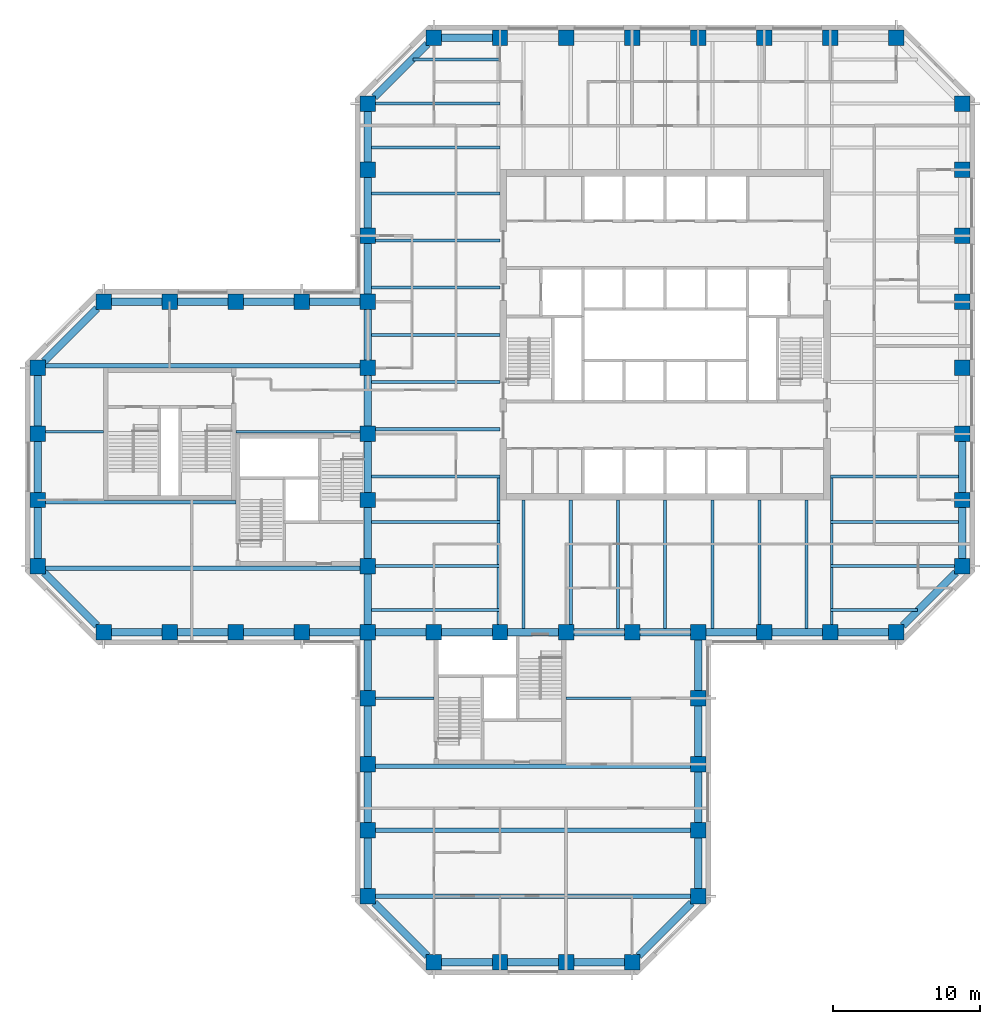
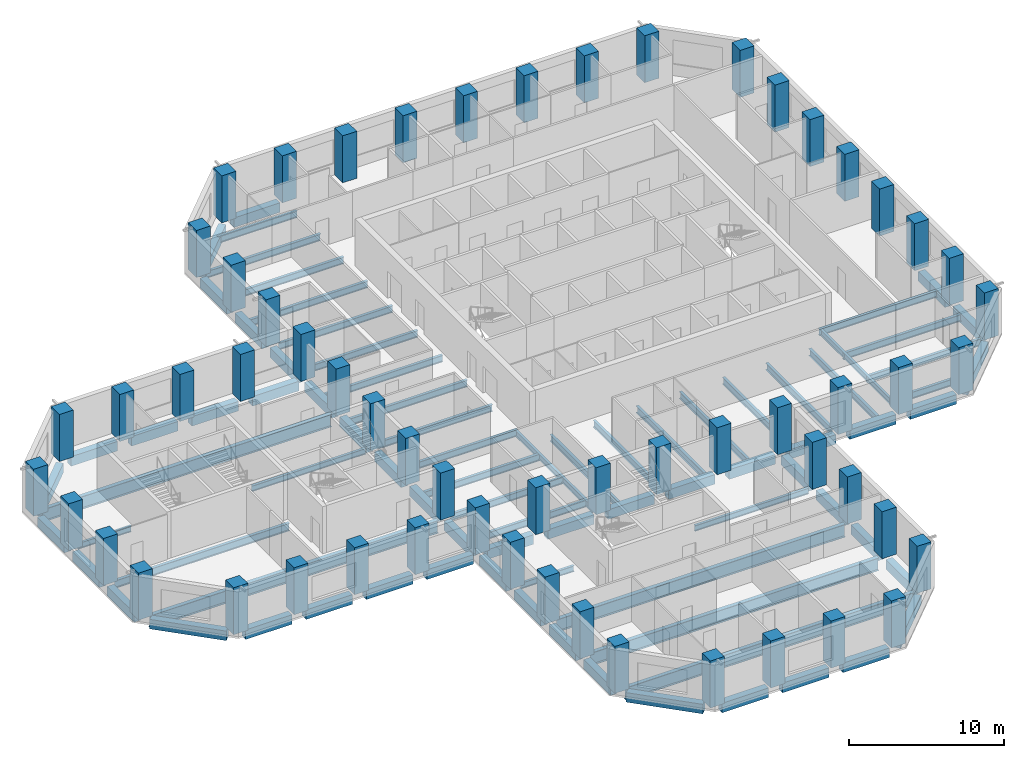
# One storey, part 1 of 11: 83 beams, 57 columns.
"""IFC4 building model written with IfcOpenShell, lengths in metres."""

from ifc_helpers import new_model, si_unit, direction, frame, origin, origin_2d, place, context, subcontext, project, spatial, rectangle, i_section, extrude, material, material_profile, profile_set, type_object, element, save


model = new_model("IFC4")

# Units and contexts
model_context = context("Model", 3, precision=1e-05, world=origin(), true_north=direction((0.0, 1.0)))
body_context = subcontext(model_context, "Body", "Model", "MODEL_VIEW")
ifc_project = project(units=[si_unit("LENGTHUNIT", "METRE"), si_unit("AREAUNIT", "SQUARE_METRE"), si_unit("VOLUMEUNIT", "CUBIC_METRE"), si_unit("PLANEANGLEUNIT", "RADIAN"), si_unit("MASSUNIT", "GRAM", prefix="KILO")], contexts=[model_context])

# Site, building, storey
site_placement = place(None, origin())
site = spatial("IfcSite", under=ifc_project, at=site_placement, CompositionType="ELEMENT")
building_placement = place(site_placement, origin())
building = spatial("IfcBuilding", under=site, at=building_placement, Name="Quoin Convention Tower", CompositionType="ELEMENT")
storey_placement = place(building_placement, frame((0.0, 0.0, 123.300048828125)))
storey = spatial("IfcBuildingStorey", under=building, at=storey_placement, Name="L32", CompositionType="ELEMENT", Elevation=123.300048828125)

# Columns
ifc_material_1 = material(Name="Concrete C65", Category="concrete")
ifc_material_profile_1 = material_profile(ifc_material_1, rectangle(XDim=1.050048828125, YDim=1.050048828125, at=origin_2d()), Name="RC 1050x1050")
ifc_profile_set_1 = profile_set([ifc_material_profile_1], Name="Concrete C65")
column_type = type_object("IfcColumnType", Name="RC 1050x1050 C65", PredefinedType="COLUMN", material=ifc_profile_set_1)
for number, where, z_axis, x_axis, name in (
    (1, (40.5, 18.0, 0.0), (0.0, 0.0, 1.0), (1.0, 0.0, 0.0), "col-L32-40500_18000"),
    (2, (45.0, 18.0, 0.0), (0.0, 0.0, 1.0), (1.0, 0.0, 0.0), "col-L32-45000_18000"),
    (3, (49.5, 18.0, 0.0), (0.0, 0.0, 1.0), (1.0, 0.0, 0.0), "col-L32-49500_18000"),
    (4, (54.0, 18.0, 0.0), (0.0, 0.0, 1.0), (1.0, 0.0, 0.0), "col-L32-54000_18000"),
    (5, (36.0, 22.5, 0.0), (0.0, 0.0, 1.0), (1.0, 0.0, 0.0), "col-L32-36000_22500"),
    (6, (58.5, 22.5, 0.0), (0.0, 0.0, 1.0), (1.0, 0.0, 0.0), "col-L32-58500_22500"),
    (7, (36.0, 27.0, 0.0), (0.0, 0.0, 1.0), (1.0, 0.0, 0.0), "col-L32-36000_27000"),
    (8, (58.5, 27.0, 0.0), (0.0, 0.0, 1.0), (1.0, 0.0, 0.0), "col-L32-58500_27000"),
    (9, (36.0, 31.5, 0.0), (0.0, 0.0, 1.0), (1.0, 0.0, 0.0), "col-L32-36000_31500"),
    (10, (58.5, 31.5, 0.0), (0.0, 0.0, 1.0), (1.0, 0.0, 0.0), "col-L32-58500_31500"),
    (11, (36.0, 36.0, 0.0), (0.0, 0.0, 1.0), (1.0, 0.0, 0.0), "col-L32-36000_36000"),
    (12, (58.5, 36.0, 0.0), (0.0, 0.0, 1.0), (1.0, 0.0, 0.0), "col-L32-58500_36000"),
    (13, (18.0, 40.5, 0.0), (0.0, 0.0, 1.0), (1.0, 0.0, 0.0), "col-L32-18000_40500"),
    (14, (22.5, 40.5, 0.0), (0.0, 0.0, 1.0), (1.0, 0.0, 0.0), "col-L32-22500_40500"),
    (15, (27.0, 40.5, 0.0), (0.0, 0.0, 1.0), (1.0, 0.0, 0.0), "col-L32-27000_40500"),
    (16, (31.5, 40.5, 0.0), (0.0, 0.0, 1.0), (1.0, 0.0, 0.0), "col-L32-31500_40500"),
    (17, (36.0, 40.5, 0.0), (0.0, 0.0, 1.0), (1.0, 0.0, 0.0), "col-L32-36000_40500"),
    (18, (40.5, 40.5, 0.0), (0.0, 0.0, 1.0), (1.0, 0.0, 0.0), "web-L32-40500_40500"),
    (19, (45.0, 40.5, 0.0), (0.0, 0.0, 1.0), (1.0, 0.0, 0.0), "web-L32-45000_40500"),
    (20, (49.5, 40.5, 0.0), (0.0, 0.0, 1.0), (1.0, 0.0, 0.0), "web-L32-49500_40500"),
    (21, (54.0, 40.5, 0.0), (0.0, 0.0, 1.0), (1.0, 0.0, 0.0), "web-L32-54000_40500"),
    (22, (58.5, 40.5, 0.0), (0.0, 0.0, 1.0), (1.0, 0.0, 0.0), "col-L32-58500_40500"),
    (23, (63.0, 40.5, 0.0), (0.0, 0.0, 1.0), (1.0, 0.0, 0.0), "col-L32-63000_40500"),
    (24, (67.5, 40.5, 0.0), (0.0, 0.0, 1.0), (1.0, 0.0, 0.0), "col-L32-67500_40500"),
    (25, (72.0, 40.5, 0.0), (0.0, 0.0, 1.0), (1.0, 0.0, 0.0), "col-L32-72000_40500"),
    (26, (13.5, 45.0, 0.0), (0.0, 0.0, 1.0), (1.0, 0.0, 0.0), "col-L32-13500_45000"),
    (27, (36.0, 45.0, 0.0), (0.0, 0.0, 1.0), (1.0, 0.0, 0.0), "web-L32-36000_45000"),
    (28, (76.5, 45.0, 0.0), (0.0, 0.0, 1.0), (1.0, 0.0, 0.0), "col-L32-76500_45000"),
    (29, (13.5, 49.5, 0.0), (0.0, 0.0, 1.0), (1.0, 0.0, 0.0), "col-L32-13500_49500"),
    (30, (36.0, 49.5, 0.0), (0.0, 0.0, 1.0), (1.0, 0.0, 0.0), "web-L32-36000_49500"),
    (31, (76.5, 49.5, 0.0), (0.0, 0.0, 1.0), (1.0, 0.0, 0.0), "col-L32-76500_49500"),
    (32, (13.5, 54.0, 0.0), (0.0, 0.0, 1.0), (1.0, 0.0, 0.0), "col-L32-13500_54000"),
    (33, (36.0, 54.0, 0.0), (0.0, 0.0, 1.0), (1.0, 0.0, 0.0), "web-L32-36000_54000"),
    (34, (76.5, 54.0, 0.0), (0.0, 0.0, 1.0), (1.0, 0.0, 0.0), "col-L32-76500_54000"),
    (35, (13.5, 58.5, 0.0), (0.0, 0.0, 1.0), (1.0, 0.0, 0.0), "col-L32-13500_58500"),
    (36, (36.0, 58.5, 0.0), (0.0, 0.0, 1.0), (1.0, 0.0, 0.0), "web-L32-36000_58500"),
    (37, (76.5, 58.5, 0.0), (0.0, 0.0, 1.0), (1.0, 0.0, 0.0), "col-L32-76500_58500"),
    (38, (18.0, 63.0, 0.0), (0.0, 0.0, 1.0), (1.0, 0.0, 0.0), "col-L32-18000_63000"),
    (39, (22.5, 63.0, 0.0), (0.0, 0.0, 1.0), (1.0, 0.0, 0.0), "col-L32-22500_63000"),
    (40, (27.0, 63.0, 0.0), (0.0, 0.0, 1.0), (1.0, 0.0, 0.0), "col-L32-27000_63000"),
    (41, (31.5, 63.0, 0.0), (0.0, 0.0, 1.0), (1.0, 0.0, 0.0), "col-L32-31500_63000"),
    (42, (36.0, 63.0, 0.0), (0.0, 0.0, 1.0), (1.0, 0.0, 0.0), "col-L32-36000_63000"),
    (43, (76.5, 63.0, 0.0), (0.0, 0.0, 1.0), (1.0, 0.0, 0.0), "col-L32-76500_63000"),
    (44, (36.0, 67.5, 0.0), (0.0, 0.0, 1.0), (1.0, 0.0, 0.0), "col-L32-36000_67500"),
    (45, (76.5, 67.5, 0.0), (0.0, 0.0, 1.0), (1.0, 0.0, 0.0), "col-L32-76500_67500"),
    (46, (36.0, 72.0, 0.0), (0.0, 0.0, 1.0), (1.0, 0.0, 0.0), "col-L32-36000_72000"),
    (47, (76.5, 72.0, 0.0), (0.0, 0.0, 1.0), (1.0, 0.0, 0.0), "col-L32-76500_72000"),
    (48, (36.0, 76.5, 0.0), (0.0, 0.0, 1.0), (1.0, 0.0, 0.0), "col-L32-36000_76500"),
    (49, (76.5, 76.5, 0.0), (0.0, 0.0, 1.0), (1.0, 0.0, 0.0), "col-L32-76500_76500"),
    (50, (40.5, 81.0, 0.0), (0.0, 0.0, 1.0), (1.0, 0.0, 0.0), "col-L32-40500_81000"),
    (51, (45.0, 81.0, 0.0), (0.0, 0.0, 1.0), (1.0, 0.0, 0.0), "col-L32-45000_81000"),
    (52, (49.5, 81.0, 0.0), (0.0, 0.0, 1.0), (1.0, 0.0, 0.0), "col-L32-49500_81000"),
    (53, (54.0, 81.0, 0.0), (0.0, 0.0, 1.0), (1.0, 0.0, 0.0), "col-L32-54000_81000"),
    (54, (58.5, 81.0, 0.0), (0.0, 0.0, 1.0), (1.0, 0.0, 0.0), "col-L32-58500_81000"),
    (55, (63.0, 81.0, 0.0), (0.0, 0.0, 1.0), (1.0, 0.0, 0.0), "col-L32-63000_81000"),
    (56, (67.5, 81.0, 0.0), (0.0, 0.0, 1.0), (1.0, 0.0, 0.0), "col-L32-67500_81000"),
    (57, (72.0, 81.0, 0.0), (0.0, 0.0, 1.0), (1.0, 0.0, 0.0), "col-L32-72000_81000"),
):
    element("IfcColumn", number, at=place(storey_placement, frame(where, z_axis=z_axis, x_axis=x_axis)), inside=storey, type_object=column_type, Name=name, PredefinedType="COLUMN", context=body_context, shape_type="SweptSolid", body=[
        extrude(rectangle(XDim=1.050048828125, YDim=1.050048828125, at=origin_2d()), origin(), (0.0, 0.0, 1.0), 3.699951171875),
    ])

# Beams
ifc_material_2 = material(Name="Steel Grade 300", Category="steel")
ifc_material_profile_2 = material_profile(ifc_material_2, i_section(OverallWidth=0.300048828125, OverallDepth=1.0, WebThickness=0.01611328125, FlangeThickness=0.02001953125, at=origin_2d()), Name="1000WB215")
ifc_profile_set_2 = profile_set([ifc_material_profile_2], Name="Steel Grade 300")
beam_type_1 = type_object("IfcBeamType", Name="1000WB215", PredefinedType="BEAM", material=ifc_profile_set_2)
for number, where, z_axis, x_axis, name in (
    (58, (36.52490234375, 22.5, -0.650146484375), (1.0, 0.0, 0.0), (0.0, 1.0, 0.0), "gir-L32-ST3-1-0"),
    (59, (36.52490234375, 27.0, -0.650146484375), (1.0, 0.0, 0.0), (0.0, 1.0, 0.0), "gir-L32-ST3-2-0"),
    (60, (36.52490234375, 31.35009765625, -0.650146484375), (1.0, 0.0, 0.0), (0.0, 1.0, 0.0), "gir-L32-ST3-3-0"),
    (61, (14.02490234375, 44.85009765625, -0.650146484375), (1.0, 0.0, 0.0), (0.0, 1.0, 0.0), "gir-L32-ST2-1-0"),
    (62, (14.02490234375, 58.64990234375, -0.650146484375), (1.0, 0.0, 0.0), (0.0, 1.0, 0.0), "gir-L32-ST2-4-0"),
):
    element("IfcBeam", number, at=place(storey_placement, frame(where, z_axis=z_axis, x_axis=x_axis)), inside=storey, type_object=beam_type_1, Name=name, PredefinedType="BEAM", context=body_context, shape_type="SweptSolid", body=[
        extrude(i_section(OverallWidth=0.300048828125, OverallDepth=1.0, WebThickness=0.01611328125, FlangeThickness=0.02001953125, at=origin_2d()), origin(), (0.0, 0.0, 1.0), 21.4501953125),
    ])
ifc_material_profile_3 = material_profile(ifc_material_2, i_section(OverallWidth=0.18994140625, OverallDepth=0.4541015625, WebThickness=0.008544921875, FlangeThickness=0.0126953125, FilletRadius=0.011474609375, at=origin_2d()), Name="460UB67.1")
ifc_profile_set_3 = profile_set([ifc_material_profile_3], Name="Steel Grade 300")
beam_type_2 = type_object("IfcBeamType", Name="460UB67.1", PredefinedType="BEAM", material=ifc_profile_set_3)
for number, where, z_axis, x_axis, name in (
    (63, (44.8955078125, 41.02490234375, -0.376953125), (0.0, 1.0, 0.0), (-1.0, 0.0, 0.0), "gir-L32-T1SW"),
    (64, (67.6044921875, 41.02490234375, -0.376953125), (0.0, 1.0, 0.0), (-1.0, 0.0, 0.0), "gir-L32-T1SE"),
):
    element("IfcBeam", number, at=place(storey_placement, frame(where, z_axis=z_axis, x_axis=x_axis)), inside=storey, type_object=beam_type_2, Name=name, PredefinedType="BEAM", context=body_context, shape_type="SweptSolid", body=[
        extrude(i_section(OverallWidth=0.18994140625, OverallDepth=0.4541015625, WebThickness=0.008544921875, FlangeThickness=0.0126953125, FilletRadius=0.011474609375, at=origin_2d()), origin(), (0.0, 0.0, 1.0), 9.977783203125),
    ])
beam_1_placement = place(storey_placement, frame((36.52490234375, 36.0, -0.376953125), z_axis=(1.0, 0.0, 0.0), x_axis=(0.0, 1.0, 0.0)))
element("IfcBeam", 65, at=beam_1_placement, inside=storey, type_object=beam_type_2, Name="gir-L32-ST3-4-0", PredefinedType="BEAM", context=body_context, shape_type="SweptSolid", body=[
    extrude(i_section(OverallWidth=0.18994140625, OverallDepth=0.4541015625, WebThickness=0.008544921875, FlangeThickness=0.0126953125, FilletRadius=0.011474609375, at=origin_2d()), origin(), (0.0, 0.0, 1.0), 3.97509765625),
])
beam_2_placement = place(storey_placement, frame((49.5, 36.0, -0.376953125), z_axis=(1.0, 0.0, 0.0), x_axis=(0.0, 1.0, 0.0)))
element("IfcBeam", 66, at=beam_2_placement, inside=storey, type_object=beam_type_2, Name="gir-L32-ST3-4-1", PredefinedType="BEAM", context=body_context, shape_type="SweptSolid", body=[
    extrude(i_section(OverallWidth=0.18994140625, OverallDepth=0.4541015625, WebThickness=0.008544921875, FlangeThickness=0.0126953125, FilletRadius=0.011474609375, at=origin_2d()), origin(), (0.0, 0.0, 1.0), 8.47509765625),
])
beam_3_placement = place(storey_placement, frame((14.02490234375, 54.14990234375, -0.376953125), z_axis=(1.0, 0.0, 0.0), x_axis=(0.0, 1.0, 0.0)))
element("IfcBeam", 67, at=beam_3_placement, inside=storey, type_object=beam_type_2, Name="gir-L32-ST2-3-0", PredefinedType="BEAM", context=body_context, shape_type="SweptSolid", body=[
    extrude(i_section(OverallWidth=0.18994140625, OverallDepth=0.4541015625, WebThickness=0.008544921875, FlangeThickness=0.0126953125, FilletRadius=0.011474609375, at=origin_2d()), origin(), (0.0, 0.0, 1.0), 3.97509765625),
])
beam_4_placement = place(storey_placement, frame((27.0, 54.14990234375, -0.376953125), z_axis=(1.0, 0.0, 0.0), x_axis=(0.0, 1.0, 0.0)))
element("IfcBeam", 68, at=beam_4_placement, inside=storey, type_object=beam_type_2, Name="gir-L32-ST2-3-1", PredefinedType="BEAM", context=body_context, shape_type="SweptSolid", body=[
    extrude(i_section(OverallWidth=0.18994140625, OverallDepth=0.4541015625, WebThickness=0.008544921875, FlangeThickness=0.0126953125, FilletRadius=0.011474609375, at=origin_2d()), origin(), (0.0, 0.0, 1.0), 8.47509765625),
])
ifc_material_profile_4 = material_profile(ifc_material_2, i_section(OverallWidth=0.208984375, OverallDepth=0.528076171875, WebThickness=0.009521484375, FlangeThickness=0.01318359375, FilletRadius=0.013916015625, at=origin_2d()), Name="530UB82.0")
ifc_profile_set_4 = profile_set([ifc_material_profile_4], Name="Steel Grade 300")
beam_type_3 = type_object("IfcBeamType", Name="530UB82.0", PredefinedType="BEAM", material=ifc_profile_set_4)
beam_5_placement = place(storey_placement, frame((36.25, 51.107177734375, -0.4140625), z_axis=(1.0, 0.0, 0.0), x_axis=(0.0, 1.0, 0.0)))
element("IfcBeam", 69, at=beam_5_placement, inside=storey, type_object=beam_type_3, Name="bm-L32-T1W0", PredefinedType="BEAM", context=body_context, shape_type="SweptSolid", body=[
    extrude(i_section(OverallWidth=0.208984375, OverallDepth=0.528076171875, WebThickness=0.009521484375, FlangeThickness=0.01318359375, FilletRadius=0.013916015625, at=origin_2d()), origin(), (0.0, 0.0, 1.0), 8.75),
])
beam_6_placement = place(storey_placement, frame((36.52490234375, 54.3212890625, -0.4140625), z_axis=(1.0, 0.0, 0.0), x_axis=(0.0, 1.0, 0.0)))
element("IfcBeam", 70, at=beam_6_placement, inside=storey, type_object=beam_type_3, Name="bm-L32-T1W1", PredefinedType="BEAM", context=body_context, shape_type="SweptSolid", body=[
    extrude(i_section(OverallWidth=0.208984375, OverallDepth=0.528076171875, WebThickness=0.009521484375, FlangeThickness=0.01318359375, FilletRadius=0.013916015625, at=origin_2d()), origin(), (0.0, 0.0, 1.0), 8.47509765625),
])
for number, where, z_axis, x_axis, name in (
    (71, (36.25, 57.53564453125, -0.4140625), (1.0, 0.0, 0.0), (0.0, 1.0, 0.0), "bm-L32-T1W2"),
    (72, (36.25, 60.75, -0.4140625), (1.0, 0.0, 0.0), (0.0, 1.0, 0.0), "bm-L32-T1W3"),
    (73, (36.25, 63.96435546875, -0.4140625), (1.0, 0.0, 0.0), (0.0, 1.0, 0.0), "bm-L32-T1W4"),
):
    element("IfcBeam", number, at=place(storey_placement, frame(where, z_axis=z_axis, x_axis=x_axis)), inside=storey, type_object=beam_type_3, Name=name, PredefinedType="BEAM", context=body_context, shape_type="SweptSolid", body=[
        extrude(i_section(OverallWidth=0.208984375, OverallDepth=0.528076171875, WebThickness=0.009521484375, FlangeThickness=0.01318359375, FilletRadius=0.013916015625, at=origin_2d()), origin(), (0.0, 0.0, 1.0), 8.75),
    ])
beam_7_placement = place(storey_placement, frame((36.52490234375, 67.1787109375, -0.4140625), z_axis=(1.0, 0.0, 0.0), x_axis=(0.0, 1.0, 0.0)))
element("IfcBeam", 74, at=beam_7_placement, inside=storey, type_object=beam_type_3, Name="bm-L32-T1W5", PredefinedType="BEAM", context=body_context, shape_type="SweptSolid", body=[
    extrude(i_section(OverallWidth=0.208984375, OverallDepth=0.528076171875, WebThickness=0.009521484375, FlangeThickness=0.01318359375, FilletRadius=0.013916015625, at=origin_2d()), origin(), (0.0, 0.0, 1.0), 8.47509765625),
])
for number, where, z_axis, x_axis, name in (
    (75, (36.25, 70.392822265625, -0.4140625), (1.0, 0.0, 0.0), (0.0, 1.0, 0.0), "bm-L32-T1W6"),
    (76, (67.5, 51.107177734375, -0.4140625), (1.0, 0.0, 0.0), (0.0, 1.0, 0.0), "bm-L32-T1E0"),
    (77, (46.607177734375, 40.75, -0.4140625), (0.0, 1.0, 0.0), (-1.0, 0.0, 0.0), "bm-L32-T1S0"),
):
    element("IfcBeam", number, at=place(storey_placement, frame(where, z_axis=z_axis, x_axis=x_axis)), inside=storey, type_object=beam_type_3, Name=name, PredefinedType="BEAM", context=body_context, shape_type="SweptSolid", body=[
        extrude(i_section(OverallWidth=0.208984375, OverallDepth=0.528076171875, WebThickness=0.009521484375, FlangeThickness=0.01318359375, FilletRadius=0.013916015625, at=origin_2d()), origin(), (0.0, 0.0, 1.0), 8.75),
    ])
beam_8_placement = place(storey_placement, frame((49.8212890625, 41.02490234375, -0.4140625), z_axis=(0.0, 1.0, 0.0), x_axis=(-1.0, 0.0, 0.0)))
element("IfcBeam", 78, at=beam_8_placement, inside=storey, type_object=beam_type_3, Name="bm-L32-T1S1", PredefinedType="BEAM", context=body_context, shape_type="SweptSolid", body=[
    extrude(i_section(OverallWidth=0.208984375, OverallDepth=0.528076171875, WebThickness=0.009521484375, FlangeThickness=0.01318359375, FilletRadius=0.013916015625, at=origin_2d()), origin(), (0.0, 0.0, 1.0), 8.47509765625),
])
for number, where, z_axis, x_axis, name in (
    (79, (53.03564453125, 40.75, -0.4140625), (0.0, 1.0, 0.0), (-1.0, 0.0, 0.0), "bm-L32-T1S2"),
    (80, (56.25, 40.75, -0.4140625), (0.0, 1.0, 0.0), (-1.0, 0.0, 0.0), "bm-L32-T1S3"),
    (81, (59.46435546875, 40.75, -0.4140625), (0.0, 1.0, 0.0), (-1.0, 0.0, 0.0), "bm-L32-T1S4"),
):
    element("IfcBeam", number, at=place(storey_placement, frame(where, z_axis=z_axis, x_axis=x_axis)), inside=storey, type_object=beam_type_3, Name=name, PredefinedType="BEAM", context=body_context, shape_type="SweptSolid", body=[
        extrude(i_section(OverallWidth=0.208984375, OverallDepth=0.528076171875, WebThickness=0.009521484375, FlangeThickness=0.01318359375, FilletRadius=0.013916015625, at=origin_2d()), origin(), (0.0, 0.0, 1.0), 8.75),
    ])
beam_9_placement = place(storey_placement, frame((62.6787109375, 41.02490234375, -0.4140625), z_axis=(0.0, 1.0, 0.0), x_axis=(-1.0, 0.0, 0.0)))
element("IfcBeam", 82, at=beam_9_placement, inside=storey, type_object=beam_type_3, Name="bm-L32-T1S5", PredefinedType="BEAM", context=body_context, shape_type="SweptSolid", body=[
    extrude(i_section(OverallWidth=0.208984375, OverallDepth=0.528076171875, WebThickness=0.009521484375, FlangeThickness=0.01318359375, FilletRadius=0.013916015625, at=origin_2d()), origin(), (0.0, 0.0, 1.0), 8.47509765625),
])
for number, where, z_axis, x_axis, name in (
    (83, (65.892822265625, 40.75, -0.4140625), (0.0, 1.0, 0.0), (-1.0, 0.0, 0.0), "bm-L32-T1S6"),
    (84, (36.25, 42.0, -0.4140625), (1.0, 0.0, 0.0), (0.0, 1.0, 0.0), "bm-L32-T1SW0"),
):
    element("IfcBeam", number, at=place(storey_placement, frame(where, z_axis=z_axis, x_axis=x_axis)), inside=storey, type_object=beam_type_3, Name=name, PredefinedType="BEAM", context=body_context, shape_type="SweptSolid", body=[
        extrude(i_section(OverallWidth=0.208984375, OverallDepth=0.528076171875, WebThickness=0.009521484375, FlangeThickness=0.01318359375, FilletRadius=0.013916015625, at=origin_2d()), origin(), (0.0, 0.0, 1.0), 8.75),
    ])
beam_10_placement = place(storey_placement, frame((36.52490234375, 45.0, -0.4140625), z_axis=(1.0, 0.0, 0.0), x_axis=(0.0, 1.0, 0.0)))
element("IfcBeam", 85, at=beam_10_placement, inside=storey, type_object=beam_type_3, Name="bm-L32-T1SW1", PredefinedType="BEAM", context=body_context, shape_type="SweptSolid", body=[
    extrude(i_section(OverallWidth=0.208984375, OverallDepth=0.528076171875, WebThickness=0.009521484375, FlangeThickness=0.01318359375, FilletRadius=0.013916015625, at=origin_2d()), origin(), (0.0, 0.0, 1.0), 8.47509765625),
])
beam_11_placement = place(storey_placement, frame((36.25, 48.0, -0.4140625), z_axis=(1.0, 0.0, 0.0), x_axis=(0.0, 1.0, 0.0)))
element("IfcBeam", 86, at=beam_11_placement, inside=storey, type_object=beam_type_3, Name="bm-L32-T1SW2", PredefinedType="BEAM", context=body_context, shape_type="SweptSolid", body=[
    extrude(i_section(OverallWidth=0.208984375, OverallDepth=0.528076171875, WebThickness=0.009521484375, FlangeThickness=0.01318359375, FilletRadius=0.013916015625, at=origin_2d()), origin(), (0.0, 0.0, 1.0), 8.75),
])
beam_12_placement = place(storey_placement, frame((67.5, 42.0, -0.4140625), z_axis=(1.0, 0.0, 0.0), x_axis=(0.0, 1.0, 0.0)))
element("IfcBeam", 87, at=beam_12_placement, inside=storey, type_object=beam_type_3, Name="bm-L32-T1SE0", PredefinedType="BEAM", context=body_context, shape_type="SweptSolid", body=[
    extrude(i_section(OverallWidth=0.208984375, OverallDepth=0.528076171875, WebThickness=0.009521484375, FlangeThickness=0.01318359375, FilletRadius=0.013916015625, at=origin_2d()), origin(), (0.0, 0.0, 1.0), 5.927734375),
])
beam_13_placement = place(storey_placement, frame((67.5, 45.0, -0.4140625), z_axis=(1.0, 0.0, 0.0), x_axis=(0.0, 1.0, 0.0)))
element("IfcBeam", 88, at=beam_13_placement, inside=storey, type_object=beam_type_3, Name="bm-L32-T1SE1", PredefinedType="BEAM", context=body_context, shape_type="SweptSolid", body=[
    extrude(i_section(OverallWidth=0.208984375, OverallDepth=0.528076171875, WebThickness=0.009521484375, FlangeThickness=0.01318359375, FilletRadius=0.013916015625, at=origin_2d()), origin(), (0.0, 0.0, 1.0), 8.47509765625),
])
beam_14_placement = place(storey_placement, frame((67.5, 48.0, -0.4140625), z_axis=(1.0, 0.0, 0.0), x_axis=(0.0, 1.0, 0.0)))
element("IfcBeam", 89, at=beam_14_placement, inside=storey, type_object=beam_type_3, Name="bm-L32-T1SE2", PredefinedType="BEAM", context=body_context, shape_type="SweptSolid", body=[
    extrude(i_section(OverallWidth=0.208984375, OverallDepth=0.528076171875, WebThickness=0.009521484375, FlangeThickness=0.01318359375, FilletRadius=0.013916015625, at=origin_2d()), origin(), (0.0, 0.0, 1.0), 8.75),
])
beam_15_placement = place(storey_placement, frame((39.072265625, 79.5, -0.4140625), z_axis=(1.0, 0.0, 0.0), x_axis=(0.0, 1.0, 0.0)))
element("IfcBeam", 90, at=beam_15_placement, inside=storey, type_object=beam_type_3, Name="bm-L32-T1NW0", PredefinedType="BEAM", context=body_context, shape_type="SweptSolid", body=[
    extrude(i_section(OverallWidth=0.208984375, OverallDepth=0.528076171875, WebThickness=0.009521484375, FlangeThickness=0.01318359375, FilletRadius=0.013916015625, at=origin_2d()), origin(), (0.0, 0.0, 1.0), 5.927734375),
])
beam_16_placement = place(storey_placement, frame((36.52490234375, 76.5, -0.4140625), z_axis=(1.0, 0.0, 0.0), x_axis=(0.0, 1.0, 0.0)))
element("IfcBeam", 91, at=beam_16_placement, inside=storey, type_object=beam_type_3, Name="bm-L32-T1NW1", PredefinedType="BEAM", context=body_context, shape_type="SweptSolid", body=[
    extrude(i_section(OverallWidth=0.208984375, OverallDepth=0.528076171875, WebThickness=0.009521484375, FlangeThickness=0.01318359375, FilletRadius=0.013916015625, at=origin_2d()), origin(), (0.0, 0.0, 1.0), 8.47509765625),
])
beam_17_placement = place(storey_placement, frame((36.25, 73.5, -0.4140625), z_axis=(1.0, 0.0, 0.0), x_axis=(0.0, 1.0, 0.0)))
element("IfcBeam", 92, at=beam_17_placement, inside=storey, type_object=beam_type_3, Name="bm-L32-T1NW2", PredefinedType="BEAM", context=body_context, shape_type="SweptSolid", body=[
    extrude(i_section(OverallWidth=0.208984375, OverallDepth=0.528076171875, WebThickness=0.009521484375, FlangeThickness=0.01318359375, FilletRadius=0.013916015625, at=origin_2d()), origin(), (0.0, 0.0, 1.0), 8.75),
])
ifc_material_profile_5 = material_profile(ifc_material_2, i_section(OverallWidth=0.22802734375, OverallDepth=0.60205078125, WebThickness=0.010498046875, FlangeThickness=0.014892578125, FilletRadius=0.013916015625, at=origin_2d()), Name="610UB101")
ifc_profile_set_5 = profile_set([ifc_material_profile_5], Name="Steel Grade 300")
beam_type_4 = type_object("IfcBeamType", Name="610UB101", PredefinedType="BEAM", material=ifc_profile_set_5)
beam_18_placement = place(storey_placement, frame((14.02490234375, 49.35009765625, -0.450927734375), z_axis=(1.0, 0.0, 0.0), x_axis=(0.0, 1.0, 0.0)))
element("IfcBeam", 93, at=beam_18_placement, inside=storey, type_object=beam_type_4, Name="gir-L32-ST2-2-0", PredefinedType="BEAM", context=body_context, shape_type="SweptSolid", body=[
    extrude(i_section(OverallWidth=0.22802734375, OverallDepth=0.60205078125, WebThickness=0.010498046875, FlangeThickness=0.014892578125, FilletRadius=0.013916015625, at=origin_2d()), origin(), (0.0, 0.0, 1.0), 12.97509765625),
])
ifc_material_profile_6 = material_profile(ifc_material_1, rectangle(XDim=0.5, YDim=0.75, at=origin_2d()), Name="RC 500x750")
ifc_profile_set_6 = profile_set([ifc_material_profile_6], Name="Concrete C65")
beam_type_5 = type_object("IfcBeamType", Name="RC 500x750 C65", PredefinedType="SPANDREL", material=ifc_profile_set_6)
for number, where, z_axis, x_axis, name in (
    (94, (59.02490234375, 40.5, -0.525146484375), (1.0, 0.0, 0.0), (0.0, 1.0, 0.0), "spd-L32-58500_40500-63000_40500"),
    (95, (63.52490234375, 40.5, -0.525146484375), (1.0, 0.0, 0.0), (0.0, 1.0, 0.0), "spd-L32-63000_40500-67500_40500"),
    (96, (68.02490234375, 40.5, -0.525146484375), (1.0, 0.0, 0.0), (0.0, 1.0, 0.0), "spd-L32-67500_40500-72000_40500"),
):
    element("IfcBeam", number, at=place(storey_placement, frame(where, z_axis=z_axis, x_axis=x_axis)), inside=storey, type_object=beam_type_5, Name=name, PredefinedType="SPANDREL", context=body_context, shape_type="SweptSolid", body=[
        extrude(rectangle(XDim=0.5, YDim=0.75, at=origin_2d()), origin(), (0.0, 0.0, 1.0), 3.4501953125),
    ])
beam_19_placement = place(storey_placement, frame((72.440185546875, 40.940185546875, -0.525146484375), z_axis=(0.707106781187, 0.707106781187, 0.0), x_axis=(-0.707106781187, 0.707106781187, 0.0)))
element("IfcBeam", 97, at=beam_19_placement, inside=storey, type_object=beam_type_5, Name="spd-L32-72000_40500-76500_45000", PredefinedType="SPANDREL", context=body_context, shape_type="SweptSolid", body=[
    extrude(rectangle(XDim=0.5, YDim=0.75, at=origin_2d()), origin(), (0.0, 0.0, 1.0), 5.118896484375),
])
for number, where, z_axis, x_axis, name in (
    (98, (76.5, 45.52490234375, -0.525146484375), (0.0, 1.0, 0.0), (-1.0, 0.0, 0.0), "spd-L32-76500_45000-76500_49500"),
    (99, (76.5, 50.02490234375, -0.525146484375), (0.0, 1.0, 0.0), (-1.0, 0.0, 0.0), "spd-L32-76500_49500-76500_54000"),
    (100, (44.47509765625, 81.0, -0.525146484375), (-1.0, 0.0, 0.0), (0.0, -1.0, 0.0), "spd-L32-45000_81000-40500_81000"),
):
    element("IfcBeam", number, at=place(storey_placement, frame(where, z_axis=z_axis, x_axis=x_axis)), inside=storey, type_object=beam_type_5, Name=name, PredefinedType="SPANDREL", context=body_context, shape_type="SweptSolid", body=[
        extrude(rectangle(XDim=0.5, YDim=0.75, at=origin_2d()), origin(), (0.0, 0.0, 1.0), 3.4501953125),
    ])
beam_20_placement = place(storey_placement, frame((40.059814453125, 80.559814453125, -0.525146484375), z_axis=(-0.707106781187, -0.707106781187, 0.0), x_axis=(0.707106781187, -0.707106781187, 0.0)))
element("IfcBeam", 101, at=beam_20_placement, inside=storey, type_object=beam_type_5, Name="spd-L32-40500_81000-36000_76500", PredefinedType="SPANDREL", context=body_context, shape_type="SweptSolid", body=[
    extrude(rectangle(XDim=0.5, YDim=0.75, at=origin_2d()), origin(), (0.0, 0.0, 1.0), 5.118896484375),
])
for number, where, z_axis, x_axis, name in (
    (102, (36.0, 75.97509765625, -0.525146484375), (0.0, -1.0, 0.0), (1.0, 0.0, 0.0), "spd-L32-36000_76500-36000_72000"),
    (103, (36.0, 71.47509765625, -0.525146484375), (0.0, -1.0, 0.0), (1.0, 0.0, 0.0), "spd-L32-36000_72000-36000_67500"),
    (104, (36.0, 66.97509765625, -0.525146484375), (0.0, -1.0, 0.0), (1.0, 0.0, 0.0), "spd-L32-36000_67500-36000_63000"),
    (105, (35.47509765625, 63.0, -0.525146484375), (-1.0, 0.0, 0.0), (0.0, -1.0, 0.0), "spd-L32-36000_63000-31500_63000"),
    (106, (30.97509765625, 63.0, -0.525146484375), (-1.0, 0.0, 0.0), (0.0, -1.0, 0.0), "spd-L32-31500_63000-27000_63000"),
    (107, (26.47509765625, 63.0, -0.525146484375), (-1.0, 0.0, 0.0), (0.0, -1.0, 0.0), "spd-L32-27000_63000-22500_63000"),
    (108, (21.97509765625, 63.0, -0.525146484375), (-1.0, 0.0, 0.0), (0.0, -1.0, 0.0), "spd-L32-22500_63000-18000_63000"),
):
    element("IfcBeam", number, at=place(storey_placement, frame(where, z_axis=z_axis, x_axis=x_axis)), inside=storey, type_object=beam_type_5, Name=name, PredefinedType="SPANDREL", context=body_context, shape_type="SweptSolid", body=[
        extrude(rectangle(XDim=0.5, YDim=0.75, at=origin_2d()), origin(), (0.0, 0.0, 1.0), 3.4501953125),
    ])
beam_21_placement = place(storey_placement, frame((17.559814453125, 62.559814453125, -0.525146484375), z_axis=(-0.707106781187, -0.707106781187, 0.0), x_axis=(0.707106781187, -0.707106781187, 0.0)))
element("IfcBeam", 109, at=beam_21_placement, inside=storey, type_object=beam_type_5, Name="spd-L32-18000_63000-13500_58500", PredefinedType="SPANDREL", context=body_context, shape_type="SweptSolid", body=[
    extrude(rectangle(XDim=0.5, YDim=0.75, at=origin_2d()), origin(), (0.0, 0.0, 1.0), 5.118896484375),
])
for number, where, z_axis, x_axis, name in (
    (110, (13.5, 57.97509765625, -0.525146484375), (0.0, -1.0, 0.0), (1.0, 0.0, 0.0), "spd-L32-13500_58500-13500_54000"),
    (111, (13.5, 53.47509765625, -0.525146484375), (0.0, -1.0, 0.0), (1.0, 0.0, 0.0), "spd-L32-13500_54000-13500_49500"),
    (112, (13.5, 48.97509765625, -0.525146484375), (0.0, -1.0, 0.0), (1.0, 0.0, 0.0), "spd-L32-13500_49500-13500_45000"),
):
    element("IfcBeam", number, at=place(storey_placement, frame(where, z_axis=z_axis, x_axis=x_axis)), inside=storey, type_object=beam_type_5, Name=name, PredefinedType="SPANDREL", context=body_context, shape_type="SweptSolid", body=[
        extrude(rectangle(XDim=0.5, YDim=0.75, at=origin_2d()), origin(), (0.0, 0.0, 1.0), 3.4501953125),
    ])
beam_22_placement = place(storey_placement, frame((13.940185546875, 44.559814453125, -0.525146484375), z_axis=(0.707106781187, -0.707106781187, 0.0), x_axis=(0.707106781187, 0.707106781187, 0.0)))
element("IfcBeam", 113, at=beam_22_placement, inside=storey, type_object=beam_type_5, Name="spd-L32-13500_45000-18000_40500", PredefinedType="SPANDREL", context=body_context, shape_type="SweptSolid", body=[
    extrude(rectangle(XDim=0.5, YDim=0.75, at=origin_2d()), origin(), (0.0, 0.0, 1.0), 5.118896484375),
])
for number, where, z_axis, x_axis, name in (
    (114, (18.52490234375, 40.5, -0.525146484375), (1.0, 0.0, 0.0), (0.0, 1.0, 0.0), "spd-L32-18000_40500-22500_40500"),
    (115, (23.02490234375, 40.5, -0.525146484375), (1.0, 0.0, 0.0), (0.0, 1.0, 0.0), "spd-L32-22500_40500-27000_40500"),
    (116, (27.52490234375, 40.5, -0.525146484375), (1.0, 0.0, 0.0), (0.0, 1.0, 0.0), "spd-L32-27000_40500-31500_40500"),
    (117, (32.02490234375, 40.5, -0.525146484375), (1.0, 0.0, 0.0), (0.0, 1.0, 0.0), "spd-L32-31500_40500-36000_40500"),
    (118, (36.0, 39.97509765625, -0.525146484375), (0.0, -1.0, 0.0), (1.0, 0.0, 0.0), "spd-L32-36000_40500-36000_36000"),
    (119, (36.0, 35.47509765625, -0.525146484375), (0.0, -1.0, 0.0), (1.0, 0.0, 0.0), "spd-L32-36000_36000-36000_31500"),
    (120, (36.0, 30.97509765625, -0.525146484375), (0.0, -1.0, 0.0), (1.0, 0.0, 0.0), "spd-L32-36000_31500-36000_27000"),
    (121, (36.0, 26.47509765625, -0.525146484375), (0.0, -1.0, 0.0), (1.0, 0.0, 0.0), "spd-L32-36000_27000-36000_22500"),
):
    element("IfcBeam", number, at=place(storey_placement, frame(where, z_axis=z_axis, x_axis=x_axis)), inside=storey, type_object=beam_type_5, Name=name, PredefinedType="SPANDREL", context=body_context, shape_type="SweptSolid", body=[
        extrude(rectangle(XDim=0.5, YDim=0.75, at=origin_2d()), origin(), (0.0, 0.0, 1.0), 3.4501953125),
    ])
beam_23_placement = place(storey_placement, frame((36.440185546875, 22.059814453125, -0.525146484375), z_axis=(0.707106781187, -0.707106781187, 0.0), x_axis=(0.707106781187, 0.707106781187, 0.0)))
element("IfcBeam", 122, at=beam_23_placement, inside=storey, type_object=beam_type_5, Name="spd-L32-36000_22500-40500_18000", PredefinedType="SPANDREL", context=body_context, shape_type="SweptSolid", body=[
    extrude(rectangle(XDim=0.5, YDim=0.75, at=origin_2d()), origin(), (0.0, 0.0, 1.0), 5.118896484375),
])
for number, where, z_axis, x_axis, name in (
    (123, (41.02490234375, 18.0, -0.525146484375), (1.0, 0.0, 0.0), (0.0, 1.0, 0.0), "spd-L32-40500_18000-45000_18000"),
    (124, (45.52490234375, 18.0, -0.525146484375), (1.0, 0.0, 0.0), (0.0, 1.0, 0.0), "spd-L32-45000_18000-49500_18000"),
    (125, (50.02490234375, 18.0, -0.525146484375), (1.0, 0.0, 0.0), (0.0, 1.0, 0.0), "spd-L32-49500_18000-54000_18000"),
):
    element("IfcBeam", number, at=place(storey_placement, frame(where, z_axis=z_axis, x_axis=x_axis)), inside=storey, type_object=beam_type_5, Name=name, PredefinedType="SPANDREL", context=body_context, shape_type="SweptSolid", body=[
        extrude(rectangle(XDim=0.5, YDim=0.75, at=origin_2d()), origin(), (0.0, 0.0, 1.0), 3.4501953125),
    ])
beam_24_placement = place(storey_placement, frame((54.440185546875, 18.440185546875, -0.525146484375), z_axis=(0.707106781187, 0.707106781187, 0.0), x_axis=(-0.707106781187, 0.707106781187, 0.0)))
element("IfcBeam", 126, at=beam_24_placement, inside=storey, type_object=beam_type_5, Name="spd-L32-54000_18000-58500_22500", PredefinedType="SPANDREL", context=body_context, shape_type="SweptSolid", body=[
    extrude(rectangle(XDim=0.5, YDim=0.75, at=origin_2d()), origin(), (0.0, 0.0, 1.0), 5.118896484375),
])
for number, where, z_axis, x_axis, name in (
    (127, (58.5, 23.02490234375, -0.525146484375), (0.0, 1.0, 0.0), (-1.0, 0.0, 0.0), "spd-L32-58500_22500-58500_27000"),
    (128, (58.5, 27.52490234375, -0.525146484375), (0.0, 1.0, 0.0), (-1.0, 0.0, 0.0), "spd-L32-58500_27000-58500_31500"),
    (129, (58.5, 32.02490234375, -0.525146484375), (0.0, 1.0, 0.0), (-1.0, 0.0, 0.0), "spd-L32-58500_31500-58500_36000"),
    (130, (58.5, 36.52490234375, -0.525146484375), (0.0, 1.0, 0.0), (-1.0, 0.0, 0.0), "spd-L32-58500_36000-58500_40500"),
    (131, (36.52490234375, 40.5, -0.525146484375), (1.0, 0.0, 0.0), (0.0, 1.0, 0.0), "spd-L32-36000_40500-40500_40500"),
    (132, (41.02490234375, 40.5, -0.525146484375), (1.0, 0.0, 0.0), (0.0, 1.0, 0.0), "spd-L32-40500_40500-45000_40500"),
    (133, (45.52490234375, 40.5, -0.525146484375), (1.0, 0.0, 0.0), (0.0, 1.0, 0.0), "spd-L32-45000_40500-49500_40500"),
    (134, (50.02490234375, 40.5, -0.525146484375), (1.0, 0.0, 0.0), (0.0, 1.0, 0.0), "spd-L32-49500_40500-54000_40500"),
    (135, (54.52490234375, 40.5, -0.525146484375), (1.0, 0.0, 0.0), (0.0, 1.0, 0.0), "spd-L32-54000_40500-58500_40500"),
    (136, (36.0, 41.02490234375, -0.525146484375), (0.0, 1.0, 0.0), (-1.0, 0.0, 0.0), "spd-L32-36000_40500-36000_45000"),
    (137, (36.0, 45.52490234375, -0.525146484375), (0.0, 1.0, 0.0), (-1.0, 0.0, 0.0), "spd-L32-36000_45000-36000_49500"),
    (138, (36.0, 50.02490234375, -0.525146484375), (0.0, 1.0, 0.0), (-1.0, 0.0, 0.0), "spd-L32-36000_49500-36000_54000"),
    (139, (36.0, 54.52490234375, -0.525146484375), (0.0, 1.0, 0.0), (-1.0, 0.0, 0.0), "spd-L32-36000_54000-36000_58500"),
    (140, (36.0, 59.02490234375, -0.525146484375), (0.0, 1.0, 0.0), (-1.0, 0.0, 0.0), "spd-L32-36000_58500-36000_63000"),
):
    element("IfcBeam", number, at=place(storey_placement, frame(where, z_axis=z_axis, x_axis=x_axis)), inside=storey, type_object=beam_type_5, Name=name, PredefinedType="SPANDREL", context=body_context, shape_type="SweptSolid", body=[
        extrude(rectangle(XDim=0.5, YDim=0.75, at=origin_2d()), origin(), (0.0, 0.0, 1.0), 3.4501953125),
    ])

save(model, "model.ifc")
